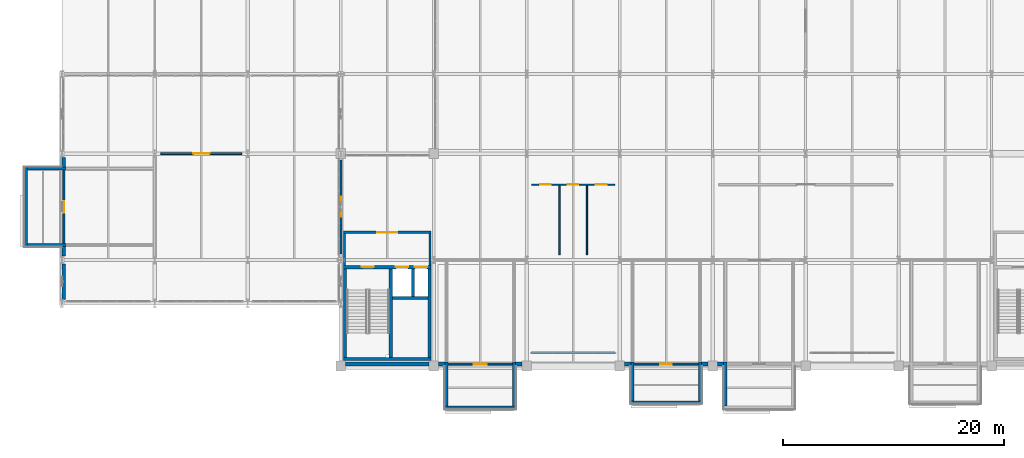
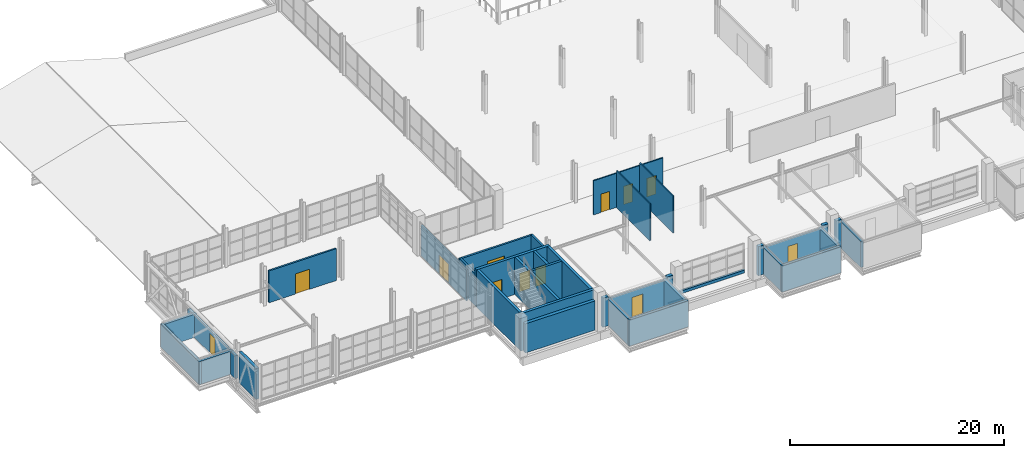
# One storey, part 118 of 130: 38 walls, 12 doors, 12 openings.
"""IFC4 building model written with IfcOpenShell, lengths in metres."""

from ifc_helpers import new_model, si_unit, direction, frame, frame_2d, origin, place, context, subcontext, project, spatial, rectangle, extrude, material, layer, layer_set, type_object, element, fill, save


model = new_model("IFC4")

# Units and contexts
model_context = context("Model", 3, precision=1e-05, world=origin(), true_north=direction((0.0, 1.0)))
body_context = subcontext(model_context, "Body", "Model", "MODEL_VIEW")
ifc_project = project(units=[si_unit("LENGTHUNIT", "METRE"), si_unit("AREAUNIT", "SQUARE_METRE"), si_unit("VOLUMEUNIT", "CUBIC_METRE"), si_unit("PLANEANGLEUNIT", "RADIAN"), si_unit("MASSUNIT", "GRAM", prefix="KILO")], contexts=[model_context])

# Site, building, storey
site_placement = place(None, origin())
site = spatial("IfcSite", under=ifc_project, at=site_placement, CompositionType="ELEMENT")
building_placement = place(site_placement, origin())
building = spatial("IfcBuilding", under=site, at=building_placement, Name="Veltarok Museum of Natural Sciences", CompositionType="ELEMENT")
storey_placement = place(building_placement, frame((0.0, 0.0, 12.89990234375)))
storey = spatial("IfcBuildingStorey", under=building, at=storey_placement, Name="L02", CompositionType="ELEMENT", Elevation=12.89990234375)

# Walls
ifc_material_1 = material(Name="Precast concrete C40/50", Category="concrete")
ifc_layer_1 = layer(ifc_material_1, 0.280029296875)
ifc_layer_set_1 = layer_set([ifc_layer_1], Name="Precast concrete C40/50")
wall_type_1 = type_object("IfcWallType", Name="Cabinet Box Insulated Backup Wall 280", PredefinedType="SOLIDWALL", material=ifc_layer_set_1)
wall_1_placement = place(storey_placement, frame((57.800048828125, -3.260009765625, 0.0), z_axis=(0.0, 0.0, 1.0), x_axis=(1.0, 0.0, 0.0)))
element("IfcWall", 1, at=wall_1_placement, inside=storey, type_object=wall_type_1, Name="Cabinet Box Wall DB-08-S", PredefinedType="SOLIDWALL", context=body_context, shape_type="SweptSolid", body=[
    extrude(rectangle(XDim=6.39990234375, YDim=0.280029296875, at=frame_2d((3.199951171875, 0.0))), origin(), (0.0, 0.0, 1.0), 2.989990234375),
])
for number, where, z_axis, x_axis, name in (
    (2, (57.93994140625, 0.360107421875, 0.0), (0.0, 0.0, 1.0), (0.0, -1.0, 0.0), "Cabinet Box Wall DB-08-W"),
    (3, (64.06005859375, -3.1201171875, 0.0), (0.0, 0.0, 1.0), (0.0, 1.0, 0.0), "Cabinet Box Wall DB-08-E"),
):
    element("IfcWall", number, at=place(storey_placement, frame(where, z_axis=z_axis, x_axis=x_axis)), inside=storey, type_object=wall_type_1, Name=name, PredefinedType="SOLIDWALL", context=body_context, shape_type="SweptSolid", body=[
        extrude(rectangle(XDim=3.480224609375, YDim=0.280029296875, at=frame_2d((1.740234375, 0.0))), origin(), (0.0, 0.0, 1.0), 2.989990234375),
    ])
wall_2_placement = place(storey_placement, frame((3.139892578125, 18.0, 0.0), z_axis=(0.0, 0.0, 1.0), x_axis=(0.0, -1.0, 0.0)))
element("IfcWall", 4, at=wall_2_placement, inside=storey, type_object=wall_type_1, Name="Cabinet Box Wall DB-32-W", PredefinedType="SOLIDWALL", context=body_context, shape_type="SweptSolid", body=[
    extrude(rectangle(XDim=7.199951171875, YDim=0.280029296875, at=frame_2d((3.60009765625, 0.0))), origin(), (0.0, 0.0, 1.0), 2.6201171875),
])
for number, where, z_axis, x_axis, name in (
    (5, (3.280029296875, 10.93994140625, 0.0), (0.0, 0.0, 1.0), (1.0, 0.0, 0.0), "Cabinet Box Wall DB-32-S"),
    (6, (6.760009765625, 17.860107421875, 0.0), (0.0, 0.0, 1.0), (-1.0, 0.0, 0.0), "Cabinet Box Wall DB-32-N"),
):
    element("IfcWall", number, at=place(storey_placement, frame(where, z_axis=z_axis, x_axis=x_axis)), inside=storey, type_object=wall_type_1, Name=name, PredefinedType="SOLIDWALL", context=body_context, shape_type="SweptSolid", body=[
        extrude(rectangle(XDim=3.47998046875, YDim=0.280029296875, at=frame_2d((1.739990234375, 0.0))), origin(), (0.0, 0.0, 1.0), 2.6201171875),
    ])
ifc_layer_2 = layer(ifc_material_1, 0.300048828125)
ifc_layer_set_2 = layer_set([ifc_layer_2], Name="Precast concrete C40/50")
wall_type_2 = type_object("IfcWallType", Name="Deep Cabinet Box Insulated Wall 300", PredefinedType="SOLIDWALL", material=ifc_layer_set_2)
wall_3_placement = place(storey_placement, frame((41.0, -3.75, 0.0), z_axis=(0.0, 0.0, 1.0), x_axis=(1.0, 0.0, 0.0)))
element("IfcWall", 7, at=wall_3_placement, inside=storey, type_object=wall_type_2, Name="Cabinet Box Wall DB-07-S", PredefinedType="SOLIDWALL", context=body_context, shape_type="SweptSolid", body=[
    extrude(rectangle(XDim=6.39990234375, YDim=0.300048828125, at=frame_2d((3.199951171875, 0.0))), origin(), (0.0, 0.0, 1.0), 2.989990234375),
])
for number, where, z_axis, x_axis, name in (
    (8, (41.14990234375, 0.360107421875, 0.0), (0.0, 0.0, 1.0), (0.0, -1.0, 0.0), "Cabinet Box Wall DB-07-W"),
    (9, (47.25, -3.60009765625, 0.0), (0.0, 0.0, 1.0), (0.0, 1.0, 0.0), "Cabinet Box Wall DB-07-E"),
    (10, (66.35009765625, 0.360107421875, 0.0), (0.0, 0.0, 1.0), (0.0, -1.0, 0.0), "Cabinet Box Wall DB-09-W"),
):
    element("IfcWall", number, at=place(storey_placement, frame(where, z_axis=z_axis, x_axis=x_axis)), inside=storey, type_object=wall_type_2, Name=name, PredefinedType="SOLIDWALL", context=body_context, shape_type="SweptSolid", body=[
        extrude(rectangle(XDim=3.960205078125, YDim=0.300048828125, at=frame_2d((1.97998046875, 0.0))), origin(), (0.0, 0.0, 1.0), 2.989990234375),
    ])

# Wall, opening, door
ifc_material_2 = material(Name="Acoustic gypsum and mineral wool")
ifc_layer_3 = layer(ifc_material_2, 0.179931640625)
ifc_layer_set_3 = layer_set([ifc_layer_3], Name="Acoustic gypsum and mineral wool")
wall_type_3 = type_object("IfcWallType", Name="Exhibition Gallery Partition 180", PredefinedType="PARTITIONING", material=ifc_layer_set_3)
wall_4_placement = place(storey_placement, frame((41.300048828125, 0.179931640625, 0.0), z_axis=(0.0, 0.0, 1.0), x_axis=(1.0, 0.0, 0.0)))
wall_4 = element("IfcWall", 11, at=wall_4_placement, inside=storey, type_object=wall_type_3, Name="Cabinet Threshold Partition DB-07", PredefinedType="PARTITIONING", context=body_context, shape_type="SweptSolid", body=[
    extrude(rectangle(XDim=5.800048828125, YDim=0.179931640625, at=frame_2d((2.89990234375, 0.0))), origin(), (0.0, 0.0, 1.0), 2.989990234375),
])
opening_1_placement = place(wall_4_placement, frame((2.31005859375, 0.0, 0.0)))
opening_1 = element("IfcOpeningElement", 12, at=opening_1_placement, cuts=wall_4, Name="Opening D-L02-078", PredefinedType="OPENING", context=body_context, shape_type="SweptSolid", body=[
    extrude(rectangle(XDim=1.179931640625, YDim=2.25, at=frame_2d((0.58984375, 1.125))), frame((0.0, 0.10009765625, 0.0), z_axis=(0.0, -1.0, 0.0), x_axis=(1.0, 0.0, 0.0)), (0.0, 0.0, 1.0), 0.199951171875),
])
ifc_material_3 = material(Name="Airtight powder-coated steel", Category="steel")
door_type_1 = type_object("IfcDoorType", Name="Large Cabinet Conservation Door 1180x2250", OperationType="NOTDEFINED", PredefinedType="DOOR", material=ifc_material_3)
door_1_placement = place(opening_1_placement, origin())
door_1 = element("IfcDoor", 13, at=door_1_placement, inside=storey, type_object=door_type_1, Name="Cabinet Conservation Door DB-07", OperationType="SINGLE_SWING_RIGHT", OverallHeight=2.25, OverallWidth=1.179931640625, PredefinedType="DOOR", context=body_context, shape_type="SweptSolid", body=[
    extrude(rectangle(XDim=1.179931640625, YDim=2.25, at=frame_2d((0.58984375, 1.125))), frame((0.0, 0.02490234375, 0.0), z_axis=(0.0, -1.0, 0.0), x_axis=(1.0, 0.0, 0.0)), (0.0, 0.0, 1.0), 0.050048828125),
])
fill(opening_1, door_1)

wall_5_placement = place(storey_placement, frame((58.080078125, 0.179931640625, 0.0), z_axis=(0.0, 0.0, 1.0), x_axis=(1.0, 0.0, 0.0)))
wall_5 = element("IfcWall", 14, at=wall_5_placement, inside=storey, type_object=wall_type_3, Name="Cabinet Threshold Partition DB-08", PredefinedType="PARTITIONING", context=body_context, shape_type="SweptSolid", body=[
    extrude(rectangle(XDim=5.83984375, YDim=0.179931640625, at=frame_2d((2.919921875, 0.0))), origin(), (0.0, 0.0, 1.0), 2.989990234375),
])
opening_2_placement = place(wall_5_placement, frame((2.39990234375, 0.0, 0.0)))
opening_2 = element("IfcOpeningElement", 15, at=opening_2_placement, cuts=wall_5, Name="Opening D-L02-079", PredefinedType="OPENING", context=body_context, shape_type="SweptSolid", body=[
    extrude(rectangle(XDim=1.0400390625, YDim=2.179931640625, at=frame_2d((0.52001953125, 1.08984375))), frame((0.0, 0.10009765625, 0.0), z_axis=(0.0, -1.0, 0.0), x_axis=(1.0, 0.0, 0.0)), (0.0, 0.0, 1.0), 0.199951171875),
])
door_type_2 = type_object("IfcDoorType", Name="Compact Cabinet Conservation Door 1040x2180", OperationType="NOTDEFINED", PredefinedType="DOOR", material=ifc_material_3)
door_2_placement = place(opening_2_placement, origin())
door_2 = element("IfcDoor", 16, at=door_2_placement, inside=storey, type_object=door_type_2, Name="Cabinet Conservation Door DB-08", OperationType="SINGLE_SWING_LEFT", OverallHeight=2.179931640625, OverallWidth=1.0400390625, PredefinedType="DOOR", context=body_context, shape_type="SweptSolid", body=[
    extrude(rectangle(XDim=1.0400390625, YDim=2.179931640625, at=frame_2d((0.52001953125, 1.08984375))), frame((0.0, 0.02490234375, 0.0), z_axis=(0.0, -1.0, 0.0), x_axis=(1.0, 0.0, 0.0)), (0.0, 0.0, 1.0), 0.050048828125),
])
fill(opening_2, door_2)

wall_6_placement = place(storey_placement, frame((6.580078125, 11.080078125, 0.0), z_axis=(0.0, 0.0, 1.0), x_axis=(0.0, 1.0, 0.0)))
wall_6 = element("IfcWall", 17, at=wall_6_placement, inside=storey, type_object=wall_type_3, Name="Cabinet Threshold Partition DB-32", PredefinedType="PARTITIONING", context=body_context, shape_type="SweptSolid", body=[
    extrude(rectangle(XDim=6.639892578125, YDim=0.179931640625, at=frame_2d((3.31982421875, 0.0))), origin(), (0.0, 0.0, 1.0), 2.6201171875),
])
opening_3_placement = place(wall_6_placement, frame((2.800048828125, 0.0, 0.0)))
opening_3 = element("IfcOpeningElement", 18, at=opening_3_placement, cuts=wall_6, Name="Opening D-L02-103", PredefinedType="OPENING", context=body_context, shape_type="SweptSolid", body=[
    extrude(rectangle(XDim=1.0400390625, YDim=2.179931640625, at=frame_2d((0.52001953125, 1.08984375))), frame((0.0, 0.10009765625, 0.0), z_axis=(0.0, -1.0, 0.0), x_axis=(1.0, 0.0, 0.0)), (0.0, 0.0, 1.0), 0.199951171875),
])
door_3_placement = place(opening_3_placement, origin())
door_3 = element("IfcDoor", 19, at=door_3_placement, inside=storey, type_object=door_type_2, Name="Cabinet Conservation Door DB-32", OperationType="SINGLE_SWING_LEFT", OverallHeight=2.179931640625, OverallWidth=1.0400390625, PredefinedType="DOOR", context=body_context, shape_type="SweptSolid", body=[
    extrude(rectangle(XDim=1.0400390625, YDim=2.179931640625, at=frame_2d((0.52001953125, 1.08984375))), frame((0.0, 0.02490234375, 0.0), z_axis=(0.0, -1.0, 0.0), x_axis=(1.0, 0.0, 0.0)), (0.0, 0.0, 1.0), 0.050048828125),
])
fill(opening_3, door_3)

wall_7_placement = place(storey_placement, frame((31.60009765625, 10.14990234375, 0.0), z_axis=(0.0, 0.0, 1.0), x_axis=(0.0, 1.0, 0.0)))
wall_7 = element("IfcWall", 20, at=wall_7_placement, inside=storey, type_object=wall_type_3, Name="Interior Partition L02-039", PredefinedType="PARTITIONING", context=body_context, shape_type="SweptSolid", body=[
    extrude(rectangle(XDim=8.5, YDim=0.179931640625, at=frame_2d((4.25, 0.0))), origin(), (0.0, 0.0, 1.0), 3.531982421875),
])
opening_4_placement = place(wall_7_placement, frame((3.35009765625, 0.0, 0.0)))
opening_4 = element("IfcOpeningElement", 21, at=opening_4_placement, cuts=wall_7, Name="Opening D-L02-165", PredefinedType="OPENING", context=body_context, shape_type="SweptSolid", body=[
    extrude(rectangle(XDim=1.800048828125, YDim=2.199951171875, at=frame_2d((0.89990234375, 1.10009765625))), frame((0.0, 0.10009765625, 0.0), z_axis=(0.0, -1.0, 0.0), x_axis=(1.0, 0.0, 0.0)), (0.0, 0.0, 1.0), 0.199951171875),
])
ifc_material_4 = material(Name="Fire-rated steel and vision glass", Category="steel")
door_type_3 = type_object("IfcDoorType", Name="Fire Lobby Double Door 1800x2200", OperationType="NOTDEFINED", PredefinedType="DOOR", material=ifc_material_4)
door_4_placement = place(opening_4_placement, origin())
door_4 = element("IfcDoor", 22, at=door_4_placement, inside=storey, type_object=door_type_3, Name="Interior Door D-L02-165", OperationType="DOUBLE_DOOR_SINGLE_SWING", OverallHeight=2.199951171875, OverallWidth=1.800048828125, PredefinedType="DOOR", context=body_context, shape_type="SweptSolid", body=[
    extrude(rectangle(XDim=1.800048828125, YDim=2.199951171875, at=frame_2d((0.89990234375, 1.10009765625))), frame((0.0, 0.02490234375, 0.0), z_axis=(0.0, -1.0, 0.0), x_axis=(1.0, 0.0, 0.0)), (0.0, 0.0, 1.0), 0.050048828125),
])
fill(opening_4, door_4)

wall_8_placement = place(storey_placement, frame((15.35009765625, 19.199951171875, 0.0), z_axis=(0.0, 0.0, 1.0), x_axis=(1.0, 0.0, 0.0)))
wall_8 = element("IfcWall", 23, at=wall_8_placement, inside=storey, type_object=wall_type_3, Name="Interior Partition L02-040", PredefinedType="PARTITIONING", context=body_context, shape_type="SweptSolid", body=[
    extrude(rectangle(XDim=7.2998046875, YDim=0.179931640625, at=frame_2d((3.64990234375, 0.0))), origin(), (0.0, 0.0, 1.0), 3.64208984375),
])
opening_5_placement = place(wall_8_placement, frame((2.89990234375, 0.0, 0.0)))
opening_5 = element("IfcOpeningElement", 24, at=opening_5_placement, cuts=wall_8, Name="Opening D-L02-166", PredefinedType="OPENING", context=body_context, shape_type="SweptSolid", body=[
    extrude(rectangle(XDim=1.5, YDim=2.300048828125, at=frame_2d((0.75, 1.14990234375))), frame((0.0, 0.10009765625, 0.0), z_axis=(0.0, -1.0, 0.0), x_axis=(1.0, 0.0, 0.0)), (0.0, 0.0, 1.0), 0.199951171875),
])
ifc_material_5 = material(Name="Solid European oak and safety glass", Category="glass")
door_type_4 = type_object("IfcDoorType", Name="Seminar Double Swing Door 1500x2300", OperationType="NOTDEFINED", PredefinedType="DOOR", material=ifc_material_5)
door_5_placement = place(opening_5_placement, origin())
door_5 = element("IfcDoor", 25, at=door_5_placement, inside=storey, type_object=door_type_4, Name="Interior Door D-L02-166", OperationType="SINGLE_SWING_RIGHT", OverallHeight=2.300048828125, OverallWidth=1.5, PredefinedType="DOOR", context=body_context, shape_type="SweptSolid", body=[
    extrude(rectangle(XDim=1.5, YDim=2.300048828125, at=frame_2d((0.75, 1.14990234375))), frame((0.0, 0.02490234375, 0.0), z_axis=(0.0, -1.0, 0.0), x_axis=(1.0, 0.0, 0.0)), (0.0, 0.0, 1.0), 0.050048828125),
])
fill(opening_5, door_5)

# Walls
ifc_material_6 = material(Name="Concrete C40/50", Category="concrete")
ifc_layer_4 = layer(ifc_material_6, 0.360107421875)
ifc_layer_set_4 = layer_set([ifc_layer_4], Name="Concrete C40/50")
wall_type_4 = type_object("IfcWallType", Name="Exposed Architectural Concrete Facade Wall 360", PredefinedType="SOLIDWALL", material=ifc_layer_set_4)
wall_9_placement = place(storey_placement, frame((32.02490234375, 0.179931640625, 0.0), z_axis=(0.0, 0.0, 1.0), x_axis=(1.0, 0.0, 0.0)))
element("IfcWall", 26, at=wall_9_placement, inside=storey, type_object=wall_type_4, Name="South Core Facade Wall L02 4-5", PredefinedType="SOLIDWALL", context=body_context, shape_type="SweptSolid", body=[
    extrude(rectangle(XDim=7.550048828125, YDim=0.360107421875, at=frame_2d((3.77490234375, 0.0))), origin(), (0.0, 0.0, 1.0), 3.335205078125),
])
wall_10_placement = place(storey_placement, frame((40.425048828125, 0.179931640625, 0.0), z_axis=(0.0, 0.0, 1.0), x_axis=(1.0, 0.0, 0.0)))
element("IfcWall", 27, at=wall_10_placement, inside=storey, type_object=wall_type_4, Name="Cabinet Collar Wall L02 5-6L", PredefinedType="SOLIDWALL", context=body_context, shape_type="SweptSolid", body=[
    extrude(rectangle(XDim=0.574951171875, YDim=0.360107421875, at=frame_2d((0.28759765625, 0.0))), origin(), (0.0, 0.0, 1.0), 3.335205078125),
])
wall_11_placement = place(storey_placement, frame((47.39990234375, 0.179931640625, 0.0), z_axis=(0.0, 0.0, 1.0), x_axis=(1.0, 0.0, 0.0)))
element("IfcWall", 28, at=wall_11_placement, inside=storey, type_object=wall_type_4, Name="Cabinet Collar Wall L02 5-6R", PredefinedType="SOLIDWALL", context=body_context, shape_type="SweptSolid", body=[
    extrude(rectangle(XDim=0.5751953125, YDim=0.360107421875, at=frame_2d((0.28759765625, 0.0))), origin(), (0.0, 0.0, 1.0), 3.335205078125),
])
for number, where, z_axis, x_axis, name in (
    (29, (57.22509765625, 0.179931640625, 0.0), (0.0, 0.0, 1.0), (1.0, 0.0, 0.0), "Cabinet Collar Wall L02 7-8L"),
    (30, (64.199951171875, 0.179931640625, 0.0), (0.0, 0.0, 1.0), (1.0, 0.0, 0.0), "Cabinet Collar Wall L02 7-8R"),
    (31, (65.625, 0.179931640625, 0.0), (0.0, 0.0, 1.0), (1.0, 0.0, 0.0), "Cabinet Collar Wall L02 8-9L"),
):
    element("IfcWall", number, at=place(storey_placement, frame(where, z_axis=z_axis, x_axis=x_axis)), inside=storey, type_object=wall_type_4, Name=name, PredefinedType="SOLIDWALL", context=body_context, shape_type="SweptSolid", body=[
        extrude(rectangle(XDim=0.574951171875, YDim=0.360107421875, at=frame_2d((0.28759765625, 0.0))), origin(), (0.0, 0.0, 1.0), 3.335205078125),
    ])

# Wall, opening, door
ifc_material_7 = material(Name="Concrete C35/45", Category="concrete")
ifc_layer_5 = layer(ifc_material_7, 0.199951171875)
ifc_layer_set_5 = layer_set([ifc_layer_5], Name="Concrete C35/45")
wall_type_5 = type_object("IfcWallType", Name="Firefighting Lobby Compartment Wall 200", PredefinedType="SOLIDWALL", material=ifc_layer_set_5)
wall_12_placement = place(storey_placement, frame((31.830078125, 12.10009765625, 0.0), z_axis=(0.0, 0.0, 1.0), x_axis=(1.0, 0.0, 0.0)))
wall_12 = element("IfcWall", 32, at=wall_12_placement, inside=storey, type_object=wall_type_5, Name="Firefighting Lobby Wall C1 L02 N", PredefinedType="SOLIDWALL", context=body_context, shape_type="SweptSolid", body=[
    extrude(rectangle(XDim=7.93994140625, YDim=0.199951171875, at=frame_2d((3.969970703125, 0.0))), origin(), (0.0, 0.0, 1.0), 3.531982421875),
])
opening_6_placement = place(wall_12_placement, frame((3.070068359375, 0.0, 0.0)))
opening_6 = element("IfcOpeningElement", 33, at=opening_6_placement, cuts=wall_12, Name="Opening D-L02-036", PredefinedType="OPENING", context=body_context, shape_type="SweptSolid", body=[
    extrude(rectangle(XDim=1.800048828125, YDim=2.199951171875, at=frame_2d((0.89990234375, 1.10009765625))), frame((0.0, 0.10986328125, 0.0), z_axis=(0.0, -1.0, 0.0), x_axis=(1.0, 0.0, 0.0)), (0.0, 0.0, 1.0), 0.219970703125),
])
door_6_placement = place(opening_6_placement, origin())
door_6 = element("IfcDoor", 34, at=door_6_placement, inside=storey, type_object=door_type_3, Name="Firefighting Lobby Entrance Door C1 L02", OperationType="DOUBLE_DOOR_SINGLE_SWING", OverallHeight=2.199951171875, OverallWidth=1.800048828125, PredefinedType="DOOR", context=body_context, shape_type="SweptSolid", body=[
    extrude(rectangle(XDim=1.800048828125, YDim=2.199951171875, at=frame_2d((0.89990234375, 1.10009765625))), frame((0.0, 0.02490234375, 0.0), z_axis=(0.0, -1.0, 0.0), x_axis=(1.0, 0.0, 0.0)), (0.0, 0.0, 1.0), 0.050048828125),
])
fill(opening_6, door_6)

# Walls
for number, where, z_axis, x_axis, name in (
    (35, (31.929931640625, 9.10009765625, 0.0), (0.0, 0.0, 1.0), (0.0, 1.0, 0.0), "Firefighting Lobby Wall C1 L02 W"),
    (36, (39.669921875, 12.0, 0.0), (0.0, 0.0, 1.0), (0.0, -1.0, 0.0), "Firefighting Lobby Wall C1 L02 E"),
):
    element("IfcWall", number, at=place(storey_placement, frame(where, z_axis=z_axis, x_axis=x_axis)), inside=storey, type_object=wall_type_5, Name=name, PredefinedType="SOLIDWALL", context=body_context, shape_type="SweptSolid", body=[
        extrude(rectangle(XDim=2.89990234375, YDim=0.199951171875, at=frame_2d((1.449951171875, 0.0))), origin(), (0.0, 0.0, 1.0), 3.64208984375),
    ])
ifc_layer_6 = layer(ifc_material_1, 0.320068359375)
ifc_layer_set_6 = layer_set([ifc_layer_6], Name="Precast concrete C40/50")
wall_type_6 = type_object("IfcWallType", Name="Insulated Precast Facade Wall 320", PredefinedType="SOLIDWALL", material=ifc_layer_set_6)
wall_13_placement = place(storey_placement, frame((6.56005859375, 9.239990234375, 0.0), z_axis=(0.0, 0.0, 1.0), x_axis=(0.0, -1.0, 0.0)))
element("IfcWall", 37, at=wall_13_placement, inside=storey, type_object=wall_type_6, Name="Bridge West Collar Wall L02 CANT", PredefinedType="SOLIDWALL", context=body_context, shape_type="SweptSolid", body=[
    extrude(rectangle(XDim=3.18994140625, YDim=0.320068359375, at=frame_2d((1.594970703125, 0.0))), origin(), (0.0, 0.0, 1.0), 3.531982421875),
])
for number, where, z_axis, x_axis, name in (
    (38, (6.56005859375, 10.800048828125, 0.0), (0.0, 0.0, 1.0), (0.0, -1.0, 0.0), "Bridge West Collar Wall L02 BCS"),
    (39, (6.56005859375, 18.840087890625, 0.0), (0.0, 0.0, 1.0), (0.0, -1.0, 0.0), "Bridge West Collar Wall L02 BCN"),
):
    element("IfcWall", number, at=place(storey_placement, frame(where, z_axis=z_axis, x_axis=x_axis)), inside=storey, type_object=wall_type_6, Name=name, PredefinedType="SOLIDWALL", context=body_context, shape_type="SweptSolid", body=[
        extrude(rectangle(XDim=0.840087890625, YDim=0.320068359375, at=frame_2d((0.419921875, 0.0))), origin(), (0.0, 0.0, 1.0), 2.6220703125),
    ])
ifc_layer_7 = layer(ifc_material_6, 0.25)
ifc_layer_set_7 = layer_set([ifc_layer_7], Name="Concrete C40/50")
wall_type_7 = type_object("IfcWallType", Name="Lift Shaft Concrete Shear Wall 250", PredefinedType="SHEAR", material=ifc_layer_set_7)
wall_14_placement = place(storey_placement, frame((38.114990234375, 6.300048828125, 0.0), z_axis=(0.0, 0.0, 1.0), x_axis=(0.0, 1.0, 0.0)))
element("IfcWall", 40, at=wall_14_placement, inside=storey, type_object=wall_type_7, Name="Lift Shaft Divider Wall C1 L02", PredefinedType="SHEAR", context=body_context, shape_type="SweptSolid", body=[
    extrude(rectangle(XDim=2.5, YDim=0.25, at=frame_2d((1.25, 0.0))), origin(), (0.0, 0.0, 1.0), 4.25),
])
wall_15_placement = place(storey_placement, frame((36.27001953125, 6.175048828125, 0.0), z_axis=(0.0, 0.0, 1.0), x_axis=(1.0, 0.0, 0.0)))
element("IfcWall", 41, at=wall_15_placement, inside=storey, type_object=wall_type_7, Name="Lift Shaft Back Wall C1 L02", PredefinedType="SHEAR", context=body_context, shape_type="SweptSolid", body=[
    extrude(rectangle(XDim=3.199951171875, YDim=0.25, at=frame_2d((1.60009765625, 0.0))), origin(), (0.0, 0.0, 1.0), 4.25),
])
ifc_layer_8 = layer(ifc_material_6, 0.300048828125)
ifc_layer_set_8 = layer_set([ifc_layer_8], Name="Concrete C40/50")
wall_type_8 = type_object("IfcWallType", Name="Protected Core Shear Wall 300", PredefinedType="SHEAR", material=ifc_layer_set_8)
wall_16_placement = place(storey_placement, frame((31.830078125, 0.64990234375, 0.0), z_axis=(0.0, 0.0, 1.0), x_axis=(1.0, 0.0, 0.0)))
element("IfcWall", 42, at=wall_16_placement, inside=storey, type_object=wall_type_8, Name="Core Shear Wall C1 L02 S", PredefinedType="SHEAR", context=body_context, shape_type="SweptSolid", body=[
    extrude(rectangle(XDim=7.93994140625, YDim=0.300048828125, at=frame_2d((3.969970703125, 0.0))), origin(), (0.0, 0.0, 1.0), 4.25),
])

# Wall, openings, doors
wall_17_placement = place(storey_placement, frame((39.77001953125, 8.949951171875, 0.0), z_axis=(0.0, 0.0, 1.0), x_axis=(-1.0, 0.0, 0.0)))
wall_17 = element("IfcWall", 43, at=wall_17_placement, inside=storey, type_object=wall_type_8, Name="Core Shear Wall C1 L02 N", PredefinedType="SHEAR", context=body_context, shape_type="SweptSolid", body=[
    extrude(rectangle(XDim=7.93994140625, YDim=0.300048828125, at=frame_2d((3.969970703125, 0.0))), origin(), (0.0, 0.0, 1.0), 4.25),
])
opening_7_placement = place(wall_17_placement, frame((5.169921875, 0.0, 0.0)))
opening_7 = element("IfcOpeningElement", 44, at=opening_7_placement, cuts=wall_17, Name="Opening D-L02-035", PredefinedType="OPENING", context=body_context, shape_type="SweptSolid", body=[
    extrude(rectangle(XDim=1.10009765625, YDim=2.199951171875, at=frame_2d((0.550048828125, 1.10009765625))), frame((0.0, 0.16015625, 0.0), z_axis=(0.0, -1.0, 0.0), x_axis=(1.0, 0.0, 0.0)), (0.0, 0.0, 1.0), 0.320068359375),
])
opening_8_placement = place(wall_17_placement, frame((2.090087890625, 0.0, 0.0)))
opening_8 = element("IfcOpeningElement", 45, at=opening_8_placement, cuts=wall_17, Name="Opening LD-L02-LP-01", PredefinedType="OPENING", context=body_context, shape_type="SweptSolid", body=[
    extrude(rectangle(XDim=1.10009765625, YDim=2.10009765625, at=frame_2d((0.550048828125, 1.050048828125))), frame((0.0, 0.16015625, 0.0), z_axis=(0.0, -1.0, 0.0), x_axis=(1.0, 0.0, 0.0)), (0.0, 0.0, 1.0), 0.320068359375),
])
opening_9_placement = place(wall_17_placement, frame((0.364990234375, 0.0, 0.0)))
opening_9 = element("IfcOpeningElement", 46, at=opening_9_placement, cuts=wall_17, Name="Opening LD-L02-FL-01", PredefinedType="OPENING", context=body_context, shape_type="SweptSolid", body=[
    extrude(rectangle(XDim=1.10009765625, YDim=2.10009765625, at=frame_2d((0.550048828125, 1.050048828125))), frame((0.0, 0.16015625, 0.0), z_axis=(0.0, -1.0, 0.0), x_axis=(1.0, 0.0, 0.0)), (0.0, 0.0, 1.0), 0.320068359375),
])
ifc_material_8 = material(Name="Fire-rated painted steel", Category="steel")
door_type_5 = type_object("IfcDoorType", Name="Fire Core Single Escape Door 1100x2200", OperationType="NOTDEFINED", PredefinedType="DOOR", material=ifc_material_8)
door_7_placement = place(opening_7_placement, origin())
door_7 = element("IfcDoor", 47, at=door_7_placement, inside=storey, type_object=door_type_5, Name="Protected Stair Door ST-01 L02", OperationType="SINGLE_SWING_LEFT", OverallHeight=2.199951171875, OverallWidth=1.10009765625, PredefinedType="DOOR", context=body_context, shape_type="SweptSolid", body=[
    extrude(rectangle(XDim=1.10009765625, YDim=2.199951171875, at=frame_2d((0.550048828125, 1.10009765625))), frame((0.0, 0.02490234375, 0.0), z_axis=(0.0, -1.0, 0.0), x_axis=(1.0, 0.0, 0.0)), (0.0, 0.0, 1.0), 0.050048828125),
])
fill(opening_7, door_7)
ifc_material_9 = material(Name="Brushed stainless steel", Category="steel")
door_type_6 = type_object("IfcDoorType", Name="Passenger and Firefighting Lift Landing Door 1100x2100", OperationType="SLIDING_TO_LEFT", PredefinedType="DOOR", material=ifc_material_9)
door_8_placement = place(opening_8_placement, origin())
door_8 = element("IfcDoor", 48, at=door_8_placement, inside=storey, type_object=door_type_6, Name="Sliding Lift Landing Door LD-L02-LP-01", OperationType="SLIDING_TO_LEFT", OverallHeight=2.10009765625, OverallWidth=1.10009765625, PredefinedType="DOOR", context=body_context, shape_type="SweptSolid", body=[
    extrude(rectangle(XDim=1.10009765625, YDim=2.10009765625, at=frame_2d((0.550048828125, 1.050048828125))), frame((0.0, 0.02490234375, 0.0), z_axis=(0.0, -1.0, 0.0), x_axis=(1.0, 0.0, 0.0)), (0.0, 0.0, 1.0), 0.050048828125),
])
fill(opening_8, door_8)
door_9_placement = place(opening_9_placement, origin())
door_9 = element("IfcDoor", 49, at=door_9_placement, inside=storey, type_object=door_type_6, Name="Sliding Lift Landing Door LD-L02-FL-01", OperationType="SLIDING_TO_LEFT", OverallHeight=2.10009765625, OverallWidth=1.10009765625, PredefinedType="DOOR", context=body_context, shape_type="SweptSolid", body=[
    extrude(rectangle(XDim=1.10009765625, YDim=2.10009765625, at=frame_2d((0.550048828125, 1.050048828125))), frame((0.0, 0.02490234375, 0.0), z_axis=(0.0, -1.0, 0.0), x_axis=(1.0, 0.0, 0.0)), (0.0, 0.0, 1.0), 0.050048828125),
])
fill(opening_9, door_9)

# Walls
for number, where, z_axis, x_axis, name in (
    (50, (31.97998046875, 8.800048828125, 0.0), (0.0, 0.0, 1.0), (0.0, -1.0, 0.0), "Core Shear Wall C1 L02 W"),
    (51, (39.6201171875, 0.800048828125, 0.0), (0.0, 0.0, 1.0), (0.0, 1.0, 0.0), "Core Shear Wall C1 L02 E"),
    (52, (36.1201171875, 0.800048828125, 0.0), (0.0, 0.0, 1.0), (0.0, 1.0, 0.0), "Core Shear Wall C1 L02 DIV"),
):
    element("IfcWall", number, at=place(storey_placement, frame(where, z_axis=z_axis, x_axis=x_axis)), inside=storey, type_object=wall_type_8, Name=name, PredefinedType="SHEAR", context=body_context, shape_type="SweptSolid", body=[
        extrude(rectangle(XDim=8.0, YDim=0.300048828125, at=frame_2d((4.0, 0.0))), origin(), (0.0, 0.0, 1.0), 4.25),
    ])

# Wall, openings, doors
ifc_layer_9 = layer(ifc_material_2, 0.125)
ifc_layer_set_9 = layer_set([ifc_layer_9], Name="Acoustic gypsum and mineral wool")
wall_type_9 = type_object("IfcWallType", Name="Sanitary Core Moisture-Resistant Partition 125", PredefinedType="PARTITIONING", material=ifc_layer_set_9)
wall_18_placement = place(storey_placement, frame((48.85009765625, 16.39990234375, 0.0), z_axis=(0.0, 0.0, 1.0), x_axis=(1.0, 0.0, 0.0)))
wall_18 = element("IfcWall", 53, at=wall_18_placement, inside=storey, type_object=wall_type_9, Name="Restroom Corridor Wall L02", PredefinedType="PARTITIONING", context=body_context, shape_type="SweptSolid", body=[
    extrude(rectangle(XDim=7.5, YDim=0.125, at=frame_2d((3.75, 0.0))), origin(), (0.0, 0.0, 1.0), 3.902099609375),
])
opening_10_placement = place(wall_18_placement, frame((0.77490234375, 0.0, 0.0)))
opening_10 = element("IfcOpeningElement", 54, at=opening_10_placement, cuts=wall_18, Name="Opening D-L02-115", PredefinedType="OPENING", context=body_context, shape_type="SweptSolid", body=[
    extrude(rectangle(XDim=0.949951171875, YDim=2.10009765625, at=frame_2d((0.47509765625, 1.050048828125))), frame((0.0, 0.072509765625, 0.0), z_axis=(0.0, -1.0, 0.0), x_axis=(1.0, 0.0, 0.0)), (0.0, 0.0, 1.0), 0.14501953125),
])
opening_11_placement = place(wall_18_placement, frame((3.27490234375, 0.0, 0.0)))
opening_11 = element("IfcOpeningElement", 55, at=opening_11_placement, cuts=wall_18, Name="Opening D-L02-116", PredefinedType="OPENING", context=body_context, shape_type="SweptSolid", body=[
    extrude(rectangle(XDim=0.949951171875, YDim=2.10009765625, at=frame_2d((0.47509765625, 1.050048828125))), frame((0.0, 0.072509765625, 0.0), z_axis=(0.0, -1.0, 0.0), x_axis=(1.0, 0.0, 0.0)), (0.0, 0.0, 1.0), 0.14501953125),
])
opening_12_placement = place(wall_18_placement, frame((5.77490234375, 0.0, 0.0)))
opening_12 = element("IfcOpeningElement", 56, at=opening_12_placement, cuts=wall_18, Name="Opening D-L02-117", PredefinedType="OPENING", context=body_context, shape_type="SweptSolid", body=[
    extrude(rectangle(XDim=1.0, YDim=2.1201171875, at=frame_2d((0.5, 1.06005859375))), frame((0.0, 0.072509765625, 0.0), z_axis=(0.0, -1.0, 0.0), x_axis=(1.0, 0.0, 0.0)), (0.0, 0.0, 1.0), 0.14501953125),
])
ifc_material_10 = material(Name="Moisture-resistant HPL")
door_type_7 = type_object("IfcDoorType", Name="Accessible Restroom Wide Door 1000x2120", OperationType="NOTDEFINED", PredefinedType="DOOR", material=ifc_material_10)
door_10_placement = place(opening_12_placement, frame((1.0, 0.0, 0.0), z_axis=(0.0, 0.0, 1.0), x_axis=(-1.0, 0.0, 0.0)))
door_10 = element("IfcDoor", 57, at=door_10_placement, inside=storey, type_object=door_type_7, Name="Restroom Door D-L02-117", OperationType="SINGLE_SWING_LEFT", OverallHeight=2.1201171875, OverallWidth=1.0, PredefinedType="DOOR", context=body_context, shape_type="SweptSolid", body=[
    extrude(rectangle(XDim=1.0, YDim=2.1201171875, at=frame_2d((0.5, 1.06005859375))), frame((0.0, 0.02490234375, 0.0), z_axis=(0.0, -1.0, 0.0), x_axis=(1.0, 0.0, 0.0)), (0.0, 0.0, 1.0), 0.050048828125),
])
fill(opening_12, door_10)
door_type_8 = type_object("IfcDoorType", Name="Accessible Sanitary Room Door 950x2100", OperationType="NOTDEFINED", PredefinedType="DOOR", material=ifc_material_10)
door_11_placement = place(opening_10_placement, frame((0.949951171875, 0.0, 0.0), z_axis=(0.0, 0.0, 1.0), x_axis=(-1.0, 0.0, 0.0)))
door_11 = element("IfcDoor", 58, at=door_11_placement, inside=storey, type_object=door_type_8, Name="Restroom Door D-L02-115", OperationType="SINGLE_SWING_LEFT", OverallHeight=2.10009765625, OverallWidth=0.949951171875, PredefinedType="DOOR", context=body_context, shape_type="SweptSolid", body=[
    extrude(rectangle(XDim=0.949951171875, YDim=2.10009765625, at=frame_2d((0.47509765625, 1.050048828125))), frame((0.0, 0.02490234375, 0.0), z_axis=(0.0, -1.0, 0.0), x_axis=(1.0, 0.0, 0.0)), (0.0, 0.0, 1.0), 0.050048828125),
])
fill(opening_10, door_11)
door_12_placement = place(opening_11_placement, frame((0.949951171875, 0.0, 0.0), z_axis=(0.0, 0.0, 1.0), x_axis=(-1.0, 0.0, 0.0)))
door_12 = element("IfcDoor", 59, at=door_12_placement, inside=storey, type_object=door_type_8, Name="Restroom Door D-L02-116", OperationType="SINGLE_SWING_RIGHT", OverallHeight=2.10009765625, OverallWidth=0.949951171875, PredefinedType="DOOR", context=body_context, shape_type="SweptSolid", body=[
    extrude(rectangle(XDim=0.949951171875, YDim=2.10009765625, at=frame_2d((0.47509765625, 1.050048828125))), frame((0.0, 0.02490234375, 0.0), z_axis=(0.0, -1.0, 0.0), x_axis=(1.0, 0.0, 0.0)), (0.0, 0.0, 1.0), 0.050048828125),
])
fill(opening_11, door_12)

# Walls
for number, where, z_axis, x_axis, name in (
    (60, (51.35009765625, 10.050048828125, 0.0), (0.0, 0.0, 1.0), (0.0, 1.0, 0.0), "Restroom Divider L02-1"),
    (61, (53.85009765625, 10.050048828125, 0.0), (0.0, 0.0, 1.0), (0.0, 1.0, 0.0), "Restroom Divider L02-2"),
):
    element("IfcWall", number, at=place(storey_placement, frame(where, z_axis=z_axis, x_axis=x_axis)), inside=storey, type_object=wall_type_9, Name=name, PredefinedType="PARTITIONING", context=body_context, shape_type="SweptSolid", body=[
        extrude(rectangle(XDim=6.27001953125, YDim=0.125, at=frame_2d((3.135009765625, 0.0))), origin(), (0.0, 0.0, 1.0), 4.22998046875),
    ])
ifc_layer_10 = layer(ifc_material_1, 0.219970703125)
ifc_layer_set_10 = layer_set([ifc_layer_10], Name="Precast concrete C40/50")
wall_type_10 = type_object("IfcWallType", Name="Terrace Upstand Curb Wall 220", PredefinedType="PARAPET", material=ifc_layer_set_10)
wall_19_placement = place(storey_placement, frame((48.824951171875, 1.199951171875, -0.001953125), z_axis=(0.0, 0.0, 1.0), x_axis=(1.0, 0.0, 0.0)))
element("IfcWall", 62, at=wall_19_placement, inside=storey, type_object=wall_type_10, Name="Curtain Wall Sill Upstand CW-0003", PredefinedType="PARAPET", context=body_context, shape_type="SweptSolid", body=[
    extrude(rectangle(XDim=7.550048828125, YDim=0.219970703125, at=frame_2d((3.77490234375, 0.0))), origin(), (0.0, 0.0, 1.0), 0.326171875),
])

save(model, "model.ifc")
